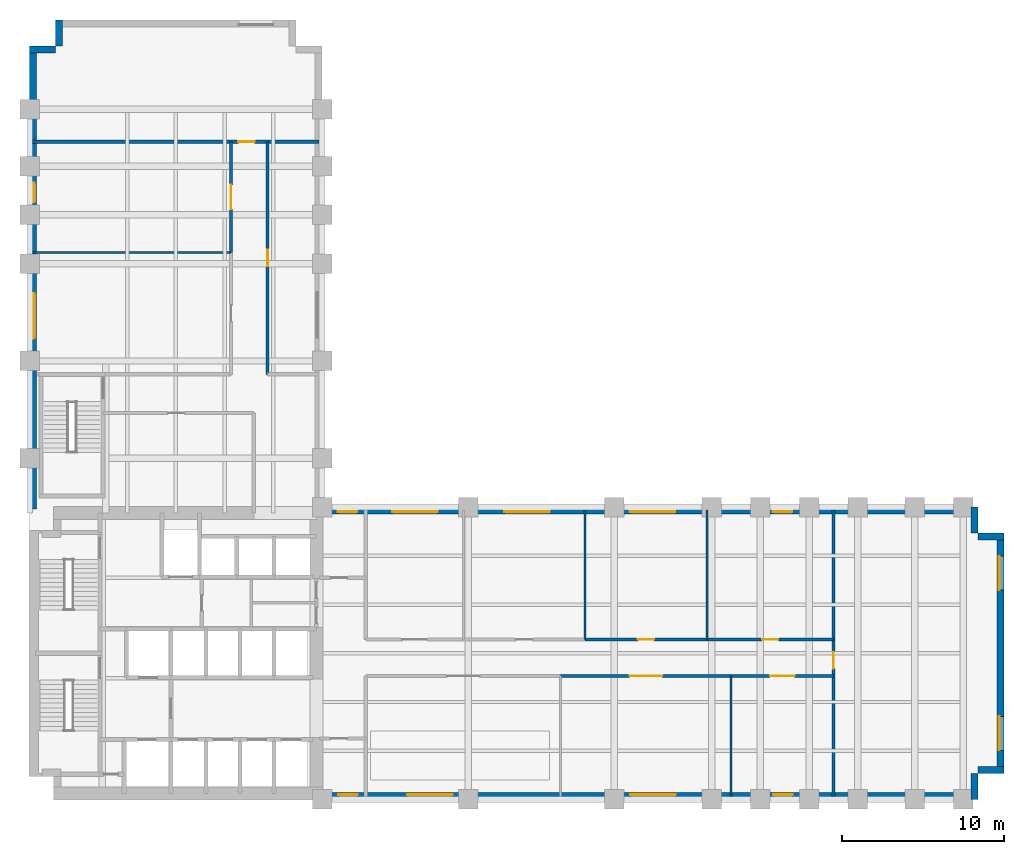
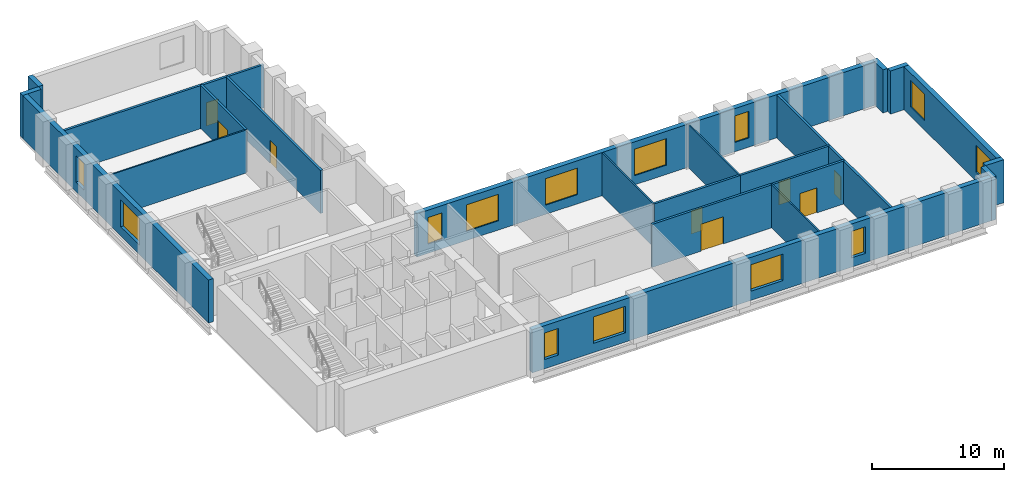
# One storey, part 5 of 7: 22 walls, 13 windows, 8 doors, 21 openings.
"""IFC4 building model written with IfcOpenShell, lengths in metres."""

from ifc_helpers import new_model, si_unit, direction, frame, frame_2d, origin, place, context, subcontext, project, spatial, rectangle, extrude, material, layer, layer_set, type_object, element, fill, save


model = new_model("IFC4")

# Units and contexts
model_context = context("Model", 3, precision=1e-05, world=origin(), true_north=direction((0.0, 1.0)))
body_context = subcontext(model_context, "Body", "Model", "MODEL_VIEW")
ifc_project = project(units=[si_unit("LENGTHUNIT", "METRE"), si_unit("AREAUNIT", "SQUARE_METRE"), si_unit("VOLUMEUNIT", "CUBIC_METRE"), si_unit("PLANEANGLEUNIT", "RADIAN"), si_unit("MASSUNIT", "GRAM", prefix="KILO")], contexts=[model_context])

# Site, building, storey
site_placement = place(None, origin())
site = spatial("IfcSite", under=ifc_project, at=site_placement, CompositionType="ELEMENT")
building_placement = place(site_placement, origin())
building = spatial("IfcBuilding", under=site, at=building_placement, Name="Mawjdan Bourse Tower", CompositionType="ELEMENT")
storey_placement = place(building_placement, frame((0.0, 0.0, 55.199951171875)))
storey = spatial("IfcBuildingStorey", under=building, at=storey_placement, Name="L12", CompositionType="ELEMENT", Elevation=55.199951171875)

# Wall, openings, windows
ifc_material_1 = material(Name="Brick Masonry Buff", Category="masonry")
ifc_layer_1 = layer(ifc_material_1, 0.419921875)
ifc_layer_set_1 = layer_set([ifc_layer_1], Name="Brick Masonry Buff")
wall_type_1 = type_object("IfcWallType", Name="WL-BRK-BUFF-420", PredefinedType="STANDARD", material=ifc_layer_set_1)
wall_1_placement = place(storey_placement, frame((23.89990234375, 3.2099609375, 0.0), z_axis=(0.0, 0.0, 1.0), x_axis=(1.0, 0.0, 0.0)))
wall_1 = element("IfcWall", 1, at=wall_1_placement, inside=storey, type_object=wall_type_1, Name="L12 Exterior Brick Wall 1", PredefinedType="STANDARD", context=body_context, shape_type="SweptSolid", body=[
    extrude(rectangle(XDim=40.5, YDim=0.419921875, at=frame_2d((20.25, 0.0))), origin(), (0.0, 0.0, 1.0), 3.97998046875),
])
opening_1_placement = place(wall_1_placement, frame((1.10009765625, 0.0, 0.85009765625)))
opening_1 = element("IfcOpeningElement", 2, at=opening_1_placement, cuts=wall_1, Name="Opening W-L12-07", PredefinedType="OPENING", context=body_context, shape_type="SweptSolid", body=[
    extrude(rectangle(XDim=1.199951171875, YDim=2.449951171875, at=frame_2d((0.60009765625, 1.22509765625))), frame((0.0, 0.219970703125, 0.0), z_axis=(0.0, -1.0, 0.0), x_axis=(1.0, 0.0, 0.0)), (0.0, 0.0, 1.0), 0.43994140625),
])
opening_2_placement = place(wall_1_placement, frame((5.336181640625, 0.0, 0.85009765625)))
opening_2 = element("IfcOpeningElement", 3, at=opening_2_placement, cuts=wall_1, Name="Opening W-L12-09", PredefinedType="OPENING", context=body_context, shape_type="SweptSolid", body=[
    extrude(rectangle(XDim=2.800048828125, YDim=2.449951171875, at=frame_2d((1.39990234375, 1.22509765625))), frame((0.0, 0.219970703125, 0.0), z_axis=(0.0, -1.0, 0.0), x_axis=(1.0, 0.0, 0.0)), (0.0, 0.0, 1.0), 0.43994140625),
])
opening_3_placement = place(wall_1_placement, frame((19.086181640625, 0.0, 0.85009765625)))
opening_3 = element("IfcOpeningElement", 4, at=opening_3_placement, cuts=wall_1, Name="Opening W-L12-10", PredefinedType="OPENING", context=body_context, shape_type="SweptSolid", body=[
    extrude(rectangle(XDim=2.800048828125, YDim=2.449951171875, at=frame_2d((1.39990234375, 1.22509765625))), frame((0.0, 0.219970703125, 0.0), z_axis=(0.0, -1.0, 0.0), x_axis=(1.0, 0.0, 0.0)), (0.0, 0.0, 1.0), 0.43994140625),
])
opening_4_placement = place(wall_1_placement, frame((27.88623046875, 0.0, 0.85009765625)))
opening_4 = element("IfcOpeningElement", 5, at=opening_4_placement, cuts=wall_1, Name="Opening W-L12-11", PredefinedType="OPENING", context=body_context, shape_type="SweptSolid", body=[
    extrude(rectangle(XDim=1.199951171875, YDim=2.449951171875, at=frame_2d((0.60009765625, 1.22509765625))), frame((0.0, 0.219970703125, 0.0), z_axis=(0.0, -1.0, 0.0), x_axis=(1.0, 0.0, 0.0)), (0.0, 0.0, 1.0), 0.43994140625),
])
ifc_material_2 = material(Name="Solar-Control Clear Double Glazing", Category="glass")
window_type_1 = type_object("IfcWindowType", Name="WN-TRD-1200", PartitioningType="SINGLE_PANEL", PredefinedType="WINDOW", material=ifc_material_2)
window_1_placement = place(opening_1_placement, origin())
window_1 = element("IfcWindow", 6, at=window_1_placement, inside=storey, type_object=window_type_1, Name="L12 Deep-Set Masonry Window W-L12-07", OverallHeight=2.449951171875, OverallWidth=1.199951171875, PartitioningType="SINGLE_PANEL", PredefinedType="WINDOW", context=body_context, shape_type="SweptSolid", body=[
    extrude(rectangle(XDim=1.199951171875, YDim=2.449951171875, at=frame_2d((0.60009765625, 1.22509765625))), frame((0.0, 0.110107421875, 0.0), z_axis=(0.0, -1.0, 0.0), x_axis=(1.0, 0.0, 0.0)), (0.0, 0.0, 1.0), 0.06005859375),
])
fill(opening_1, window_1)
window_2_placement = place(opening_4_placement, origin())
window_2 = element("IfcWindow", 7, at=window_2_placement, inside=storey, type_object=window_type_1, Name="L12 Deep-Set Masonry Window W-L12-11", OverallHeight=2.449951171875, OverallWidth=1.199951171875, PartitioningType="SINGLE_PANEL", PredefinedType="WINDOW", context=body_context, shape_type="SweptSolid", body=[
    extrude(rectangle(XDim=1.199951171875, YDim=2.449951171875, at=frame_2d((0.60009765625, 1.22509765625))), frame((0.0, 0.110107421875, 0.0), z_axis=(0.0, -1.0, 0.0), x_axis=(1.0, 0.0, 0.0)), (0.0, 0.0, 1.0), 0.06005859375),
])
fill(opening_4, window_2)
window_type_2 = type_object("IfcWindowType", Name="WN-TRD-2800", PartitioningType="SINGLE_PANEL", PredefinedType="WINDOW", material=ifc_material_2)
window_3_placement = place(opening_2_placement, origin())
window_3 = element("IfcWindow", 8, at=window_3_placement, inside=storey, type_object=window_type_2, Name="L12 Deep-Set Masonry Window W-L12-09", OverallHeight=2.449951171875, OverallWidth=2.800048828125, PartitioningType="SINGLE_PANEL", PredefinedType="WINDOW", context=body_context, shape_type="SweptSolid", body=[
    extrude(rectangle(XDim=2.800048828125, YDim=2.449951171875, at=frame_2d((1.39990234375, 1.22509765625))), frame((0.0, 0.110107421875, 0.0), z_axis=(0.0, -1.0, 0.0), x_axis=(1.0, 0.0, 0.0)), (0.0, 0.0, 1.0), 0.06005859375),
])
fill(opening_2, window_3)
window_4_placement = place(opening_3_placement, origin())
window_4 = element("IfcWindow", 9, at=window_4_placement, inside=storey, type_object=window_type_2, Name="L12 Deep-Set Masonry Window W-L12-10", OverallHeight=2.449951171875, OverallWidth=2.800048828125, PartitioningType="SINGLE_PANEL", PredefinedType="WINDOW", context=body_context, shape_type="SweptSolid", body=[
    extrude(rectangle(XDim=2.800048828125, YDim=2.449951171875, at=frame_2d((1.39990234375, 1.22509765625))), frame((0.0, 0.110107421875, 0.0), z_axis=(0.0, -1.0, 0.0), x_axis=(1.0, 0.0, 0.0)), (0.0, 0.0, 1.0), 0.06005859375),
])
fill(opening_3, window_4)

# Walls
for number, where, z_axis, x_axis, name in (
    (10, (64.18994140625, 3.0, 0.0), (0.0, 0.0, 1.0), (0.0, 1.0, 0.0), "L12 Exterior Brick Wall 2"),
    (11, (64.39990234375, 4.81005859375, 0.0), (0.0, 0.0, 1.0), (1.0, 0.0, 0.0), "L12 Exterior Brick Wall 3"),
):
    element("IfcWall", number, at=place(storey_placement, frame(where, z_axis=z_axis, x_axis=x_axis)), inside=storey, type_object=wall_type_1, Name=name, PredefinedType="STANDARD", context=body_context, shape_type="SweptSolid", body=[
        extrude(rectangle(XDim=1.60009765625, YDim=0.419921875, at=frame_2d((0.800048828125, 0.0))), origin(), (0.0, 0.0, 1.0), 3.97998046875),
    ])

# Wall, openings, windows
wall_2_placement = place(storey_placement, frame((65.7900390625, 4.60009765625, 0.0), z_axis=(0.0, 0.0, 1.0), x_axis=(0.0, 1.0, 0.0)))
wall_2 = element("IfcWall", 12, at=wall_2_placement, inside=storey, type_object=wall_type_1, Name="L12 Exterior Brick Wall 4", PredefinedType="STANDARD", context=body_context, shape_type="SweptSolid", body=[
    extrude(rectangle(XDim=14.7998046875, YDim=0.419921875, at=frame_2d((7.39990234375, 0.0))), origin(), (0.0, 0.0, 1.0), 3.97998046875),
])
opening_5_placement = place(wall_2_placement, frame((1.416748046875, 0.0, 0.85009765625)))
opening_5 = element("IfcOpeningElement", 13, at=opening_5_placement, cuts=wall_2, Name="Opening W-L12-01", PredefinedType="OPENING", context=body_context, shape_type="SweptSolid", body=[
    extrude(rectangle(XDim=2.10009765625, YDim=2.449951171875, at=frame_2d((1.050048828125, 1.22509765625))), frame((0.0, 0.219970703125, 0.0), z_axis=(0.0, -1.0, 0.0), x_axis=(1.0, 0.0, 0.0)), (0.0, 0.0, 1.0), 0.43994140625),
])
opening_6_placement = place(wall_2_placement, frame((11.283203125, 0.0, 0.85009765625)))
opening_6 = element("IfcOpeningElement", 14, at=opening_6_placement, cuts=wall_2, Name="Opening W-L12-02", PredefinedType="OPENING", context=body_context, shape_type="SweptSolid", body=[
    extrude(rectangle(XDim=2.10009765625, YDim=2.449951171875, at=frame_2d((1.050048828125, 1.22509765625))), frame((0.0, 0.219970703125, 0.0), z_axis=(0.0, -1.0, 0.0), x_axis=(1.0, 0.0, 0.0)), (0.0, 0.0, 1.0), 0.43994140625),
])
window_type_3 = type_object("IfcWindowType", Name="WN-TRD-2100", PartitioningType="SINGLE_PANEL", PredefinedType="WINDOW", material=ifc_material_2)
window_5_placement = place(opening_5_placement, origin())
window_5 = element("IfcWindow", 15, at=window_5_placement, inside=storey, type_object=window_type_3, Name="L12 Deep-Set Masonry Window W-L12-01", OverallHeight=2.449951171875, OverallWidth=2.10009765625, PartitioningType="SINGLE_PANEL", PredefinedType="WINDOW", context=body_context, shape_type="SweptSolid", body=[
    extrude(rectangle(XDim=2.10009765625, YDim=2.449951171875, at=frame_2d((1.050048828125, 1.22509765625))), frame((0.0, 0.110107421875, 0.0), z_axis=(0.0, -1.0, 0.0), x_axis=(1.0, 0.0, 0.0)), (0.0, 0.0, 1.0), 0.06005859375),
])
fill(opening_5, window_5)
window_6_placement = place(opening_6_placement, origin())
window_6 = element("IfcWindow", 16, at=window_6_placement, inside=storey, type_object=window_type_3, Name="L12 Deep-Set Masonry Window W-L12-02", OverallHeight=2.449951171875, OverallWidth=2.10009765625, PartitioningType="SINGLE_PANEL", PredefinedType="WINDOW", context=body_context, shape_type="SweptSolid", body=[
    extrude(rectangle(XDim=2.10009765625, YDim=2.449951171875, at=frame_2d((1.050048828125, 1.22509765625))), frame((0.0, 0.110107421875, 0.0), z_axis=(0.0, -1.0, 0.0), x_axis=(1.0, 0.0, 0.0)), (0.0, 0.0, 1.0), 0.06005859375),
])
fill(opening_6, window_6)

# Walls
for number, where, z_axis, x_axis, name in (
    (17, (66.0, 19.18994140625, 0.0), (0.0, 0.0, 1.0), (-1.0, 0.0, 0.0), "L12 Exterior Brick Wall 5"),
    (18, (64.18994140625, 19.39990234375, 0.0), (0.0, 0.0, 1.0), (0.0, 1.0, 0.0), "L12 Exterior Brick Wall 6"),
):
    element("IfcWall", number, at=place(storey_placement, frame(where, z_axis=z_axis, x_axis=x_axis)), inside=storey, type_object=wall_type_1, Name=name, PredefinedType="STANDARD", context=body_context, shape_type="SweptSolid", body=[
        extrude(rectangle(XDim=1.60009765625, YDim=0.419921875, at=frame_2d((0.800048828125, 0.0))), origin(), (0.0, 0.0, 1.0), 3.97998046875),
    ])

# Wall, openings, windows
wall_3_placement = place(storey_placement, frame((64.39990234375, 20.7900390625, 0.0), z_axis=(0.0, 0.0, 1.0), x_axis=(-1.0, 0.0, 0.0)))
wall_3 = element("IfcWall", 19, at=wall_3_placement, inside=storey, type_object=wall_type_1, Name="L12 Exterior Brick Wall 7", PredefinedType="STANDARD", context=body_context, shape_type="SweptSolid", body=[
    extrude(rectangle(XDim=40.39990234375, YDim=0.419921875, at=frame_2d((20.199951171875, 0.0))), origin(), (0.0, 0.0, 1.0), 3.97998046875),
])
opening_7_placement = place(wall_3_placement, frame((26.375, 0.0, 0.85009765625)))
opening_7 = element("IfcOpeningElement", 20, at=opening_7_placement, cuts=wall_3, Name="Opening W-L12-03", PredefinedType="OPENING", context=body_context, shape_type="SweptSolid", body=[
    extrude(rectangle(XDim=2.800048828125, YDim=2.449951171875, at=frame_2d((1.39990234375, 1.22509765625))), frame((0.0, 0.219970703125, 0.0), z_axis=(0.0, -1.0, 0.0), x_axis=(1.0, 0.0, 0.0)), (0.0, 0.0, 1.0), 0.43994140625),
])
opening_8_placement = place(wall_3_placement, frame((38.22216796875, 0.0, 0.85009765625)))
opening_8 = element("IfcOpeningElement", 21, at=opening_8_placement, cuts=wall_3, Name="Opening W-L12-08", PredefinedType="OPENING", context=body_context, shape_type="SweptSolid", body=[
    extrude(rectangle(XDim=1.199951171875, YDim=2.449951171875, at=frame_2d((0.60009765625, 1.22509765625))), frame((0.0, 0.219970703125, 0.0), z_axis=(0.0, -1.0, 0.0), x_axis=(1.0, 0.0, 0.0)), (0.0, 0.0, 1.0), 0.43994140625),
])
opening_9_placement = place(wall_3_placement, frame((33.2861328125, 0.0, 0.85009765625)))
opening_9 = element("IfcOpeningElement", 22, at=opening_9_placement, cuts=wall_3, Name="Opening W-L12-12", PredefinedType="OPENING", context=body_context, shape_type="SweptSolid", body=[
    extrude(rectangle(XDim=2.800048828125, YDim=2.449951171875, at=frame_2d((1.39990234375, 1.22509765625))), frame((0.0, 0.219970703125, 0.0), z_axis=(0.0, -1.0, 0.0), x_axis=(1.0, 0.0, 0.0)), (0.0, 0.0, 1.0), 0.43994140625),
])
opening_10_placement = place(wall_3_placement, frame((18.63623046875, 0.0, 0.85009765625)))
opening_10 = element("IfcOpeningElement", 23, at=opening_10_placement, cuts=wall_3, Name="Opening W-L12-13", PredefinedType="OPENING", context=body_context, shape_type="SweptSolid", body=[
    extrude(rectangle(XDim=2.800048828125, YDim=2.449951171875, at=frame_2d((1.39990234375, 1.22509765625))), frame((0.0, 0.219970703125, 0.0), z_axis=(0.0, -1.0, 0.0), x_axis=(1.0, 0.0, 0.0)), (0.0, 0.0, 1.0), 0.43994140625),
])
opening_11_placement = place(wall_3_placement, frame((11.436279296875, 0.0, 0.85009765625)))
opening_11 = element("IfcOpeningElement", 24, at=opening_11_placement, cuts=wall_3, Name="Opening W-L12-14", PredefinedType="OPENING", context=body_context, shape_type="SweptSolid", body=[
    extrude(rectangle(XDim=1.199951171875, YDim=2.449951171875, at=frame_2d((0.60009765625, 1.22509765625))), frame((0.0, 0.219970703125, 0.0), z_axis=(0.0, -1.0, 0.0), x_axis=(1.0, 0.0, 0.0)), (0.0, 0.0, 1.0), 0.43994140625),
])
window_7_placement = place(opening_8_placement, origin())
window_7 = element("IfcWindow", 25, at=window_7_placement, inside=storey, type_object=window_type_1, Name="L12 Deep-Set Masonry Window W-L12-08", OverallHeight=2.449951171875, OverallWidth=1.199951171875, PartitioningType="SINGLE_PANEL", PredefinedType="WINDOW", context=body_context, shape_type="SweptSolid", body=[
    extrude(rectangle(XDim=1.199951171875, YDim=2.449951171875, at=frame_2d((0.60009765625, 1.22509765625))), frame((0.0, 0.110107421875, 0.0), z_axis=(0.0, -1.0, 0.0), x_axis=(1.0, 0.0, 0.0)), (0.0, 0.0, 1.0), 0.06005859375),
])
fill(opening_8, window_7)
window_8_placement = place(opening_11_placement, origin())
window_8 = element("IfcWindow", 26, at=window_8_placement, inside=storey, type_object=window_type_1, Name="L12 Deep-Set Masonry Window W-L12-14", OverallHeight=2.449951171875, OverallWidth=1.199951171875, PartitioningType="SINGLE_PANEL", PredefinedType="WINDOW", context=body_context, shape_type="SweptSolid", body=[
    extrude(rectangle(XDim=1.199951171875, YDim=2.449951171875, at=frame_2d((0.60009765625, 1.22509765625))), frame((0.0, 0.110107421875, 0.0), z_axis=(0.0, -1.0, 0.0), x_axis=(1.0, 0.0, 0.0)), (0.0, 0.0, 1.0), 0.06005859375),
])
fill(opening_11, window_8)
window_9_placement = place(opening_7_placement, origin())
window_9 = element("IfcWindow", 27, at=window_9_placement, inside=storey, type_object=window_type_2, Name="L12 Deep-Set Masonry Window W-L12-03", OverallHeight=2.449951171875, OverallWidth=2.800048828125, PartitioningType="SINGLE_PANEL", PredefinedType="WINDOW", context=body_context, shape_type="SweptSolid", body=[
    extrude(rectangle(XDim=2.800048828125, YDim=2.449951171875, at=frame_2d((1.39990234375, 1.22509765625))), frame((0.0, 0.110107421875, 0.0), z_axis=(0.0, -1.0, 0.0), x_axis=(1.0, 0.0, 0.0)), (0.0, 0.0, 1.0), 0.06005859375),
])
fill(opening_7, window_9)
window_10_placement = place(opening_9_placement, origin())
window_10 = element("IfcWindow", 28, at=window_10_placement, inside=storey, type_object=window_type_2, Name="L12 Deep-Set Masonry Window W-L12-12", OverallHeight=2.449951171875, OverallWidth=2.800048828125, PartitioningType="SINGLE_PANEL", PredefinedType="WINDOW", context=body_context, shape_type="SweptSolid", body=[
    extrude(rectangle(XDim=2.800048828125, YDim=2.449951171875, at=frame_2d((1.39990234375, 1.22509765625))), frame((0.0, 0.110107421875, 0.0), z_axis=(0.0, -1.0, 0.0), x_axis=(1.0, 0.0, 0.0)), (0.0, 0.0, 1.0), 0.06005859375),
])
fill(opening_9, window_10)
window_11_placement = place(opening_10_placement, origin())
window_11 = element("IfcWindow", 29, at=window_11_placement, inside=storey, type_object=window_type_2, Name="L12 Deep-Set Masonry Window W-L12-13", OverallHeight=2.449951171875, OverallWidth=2.800048828125, PartitioningType="SINGLE_PANEL", PredefinedType="WINDOW", context=body_context, shape_type="SweptSolid", body=[
    extrude(rectangle(XDim=2.800048828125, YDim=2.449951171875, at=frame_2d((1.39990234375, 1.22509765625))), frame((0.0, 0.110107421875, 0.0), z_axis=(0.0, -1.0, 0.0), x_axis=(1.0, 0.0, 0.0)), (0.0, 0.0, 1.0), 0.06005859375),
])
fill(opening_10, window_11)

# Walls
for number, where, z_axis, x_axis, name in (
    (30, (7.81005859375, 51.0, 0.0), (0.0, 0.0, 1.0), (0.0, -1.0, 0.0), "L12 Exterior Brick Wall 12"),
    (31, (7.60009765625, 49.18994140625, 0.0), (0.0, 0.0, 1.0), (-1.0, 0.0, 0.0), "L12 Exterior Brick Wall 13"),
):
    element("IfcWall", number, at=place(storey_placement, frame(where, z_axis=z_axis, x_axis=x_axis)), inside=storey, type_object=wall_type_1, Name=name, PredefinedType="STANDARD", context=body_context, shape_type="SweptSolid", body=[
        extrude(rectangle(XDim=1.60009765625, YDim=0.419921875, at=frame_2d((0.800048828125, 0.0))), origin(), (0.0, 0.0, 1.0), 3.97998046875),
    ])

# Wall, openings, windows
wall_4_placement = place(storey_placement, frame((6.2099609375, 49.39990234375, 0.0), z_axis=(0.0, 0.0, 1.0), x_axis=(0.0, -1.0, 0.0)))
wall_4 = element("IfcWall", 32, at=wall_4_placement, inside=storey, type_object=wall_type_1, Name="L12 Exterior Brick Wall 14", PredefinedType="STANDARD", context=body_context, shape_type="SweptSolid", body=[
    extrude(rectangle(XDim=28.5, YDim=0.419921875, at=frame_2d((14.25, 0.0))), origin(), (0.0, 0.0, 1.0), 3.97998046875),
])
opening_12_placement = place(wall_4_placement, frame((15.22509765625, 0.0, 0.85009765625)))
opening_12 = element("IfcOpeningElement", 33, at=opening_12_placement, cuts=wall_4, Name="Opening W-L12-06", PredefinedType="OPENING", context=body_context, shape_type="SweptSolid", body=[
    extrude(rectangle(XDim=2.800048828125, YDim=2.449951171875, at=frame_2d((1.39990234375, 1.22509765625))), frame((0.0, 0.219970703125, 0.0), z_axis=(0.0, -1.0, 0.0), x_axis=(1.0, 0.0, 0.0)), (0.0, 0.0, 1.0), 0.43994140625),
])
opening_13_placement = place(wall_4_placement, frame((8.436279296875, 0.0, 0.85009765625)))
opening_13 = element("IfcOpeningElement", 34, at=opening_13_placement, cuts=wall_4, Name="Opening W-L12-15", PredefinedType="OPENING", context=body_context, shape_type="SweptSolid", body=[
    extrude(rectangle(XDim=1.199951171875, YDim=2.449951171875, at=frame_2d((0.60009765625, 1.22509765625))), frame((0.0, 0.219970703125, 0.0), z_axis=(0.0, -1.0, 0.0), x_axis=(1.0, 0.0, 0.0)), (0.0, 0.0, 1.0), 0.43994140625),
])
window_12_placement = place(opening_13_placement, origin())
window_12 = element("IfcWindow", 35, at=window_12_placement, inside=storey, type_object=window_type_1, Name="L12 Deep-Set Masonry Window W-L12-15", OverallHeight=2.449951171875, OverallWidth=1.199951171875, PartitioningType="SINGLE_PANEL", PredefinedType="WINDOW", context=body_context, shape_type="SweptSolid", body=[
    extrude(rectangle(XDim=1.199951171875, YDim=2.449951171875, at=frame_2d((0.60009765625, 1.22509765625))), frame((0.0, 0.110107421875, 0.0), z_axis=(0.0, -1.0, 0.0), x_axis=(1.0, 0.0, 0.0)), (0.0, 0.0, 1.0), 0.06005859375),
])
fill(opening_13, window_12)
window_13_placement = place(opening_12_placement, origin())
window_13 = element("IfcWindow", 36, at=window_13_placement, inside=storey, type_object=window_type_2, Name="L12 Deep-Set Masonry Window W-L12-06", OverallHeight=2.449951171875, OverallWidth=2.800048828125, PartitioningType="SINGLE_PANEL", PredefinedType="WINDOW", context=body_context, shape_type="SweptSolid", body=[
    extrude(rectangle(XDim=2.800048828125, YDim=2.449951171875, at=frame_2d((1.39990234375, 1.22509765625))), frame((0.0, 0.110107421875, 0.0), z_axis=(0.0, -1.0, 0.0), x_axis=(1.0, 0.0, 0.0)), (0.0, 0.0, 1.0), 0.06005859375),
])
fill(opening_12, window_13)

# Wall, opening, door
ifc_material_3 = material(Name="Gypsum Fireboard Assembly")
ifc_layer_2 = layer(ifc_material_3, 0.199951171875)
ifc_layer_set_2 = layer_set([ifc_layer_2], Name="Gypsum Fireboard Assembly")
wall_type_2 = type_object("IfcWallType", Name="WL-CMP-200", PredefinedType="PARTITIONING", material=ifc_layer_set_2)
wall_5_placement = place(storey_placement, frame((38.699951171875, 10.60009765625, 0.0), z_axis=(0.0, 0.0, 1.0), x_axis=(1.0, 0.0, 0.0)))
wall_5 = element("IfcWall", 37, at=wall_5_placement, inside=storey, type_object=wall_type_2, Name="L12 Commodities Dealing Hall Corridor Wall", PredefinedType="PARTITIONING", context=body_context, shape_type="SweptSolid", body=[
    extrude(rectangle(XDim=10.5, YDim=0.199951171875, at=frame_2d((5.25, 0.0))), origin(), (0.0, 0.0, 1.0), 3.969970703125),
])
opening_14_placement = place(wall_5_placement, frame((4.25, 0.0, 0.0)))
opening_14 = element("IfcOpeningElement", 38, at=opening_14_placement, cuts=wall_5, Name="Opening D-L12-21", PredefinedType="OPENING", context=body_context, shape_type="SweptSolid", body=[
    extrude(rectangle(XDim=2.0, YDim=2.5, at=frame_2d((1.0, 1.25))), frame((0.0, 0.10986328125, 0.0), z_axis=(0.0, -1.0, 0.0), x_axis=(1.0, 0.0, 0.0)), (0.0, 0.0, 1.0), 0.219970703125),
])
ifc_material_4 = material(Name="Acoustic Veneered Timber", Category="wood")
door_type_1 = type_object("IfcDoorType", Name="DR-ASM-2000", OperationType="DOUBLE_DOOR_SINGLE_SWING", PredefinedType="DOOR", material=ifc_material_4)
door_1_placement = place(opening_14_placement, origin())
door_1 = element("IfcDoor", 39, at=door_1_placement, inside=storey, type_object=door_type_1, Name="L12 Commodities Dealing Hall Door D-L12-21", OperationType="DOUBLE_DOOR_SINGLE_SWING", OverallHeight=2.5, OverallWidth=2.0, PredefinedType="DOOR", context=body_context, shape_type="SweptSolid", body=[
    extrude(rectangle(XDim=2.0, YDim=2.5, at=frame_2d((1.0, 1.25))), frame((0.0, 0.02490234375, 0.0), z_axis=(0.0, -1.0, 0.0), x_axis=(1.0, 0.0, 0.0)), (0.0, 0.0, 1.0), 0.050048828125),
])
fill(opening_14, door_1)

wall_6_placement = place(storey_placement, frame((49.199951171875, 10.60009765625, 0.0), z_axis=(0.0, 0.0, 1.0), x_axis=(1.0, 0.0, 0.0)))
wall_6 = element("IfcWall", 40, at=wall_6_placement, inside=storey, type_object=wall_type_2, Name="L12 Conference Room Corridor Wall", PredefinedType="PARTITIONING", context=body_context, shape_type="SweptSolid", body=[
    extrude(rectangle(XDim=6.300048828125, YDim=0.199951171875, at=frame_2d((3.14990234375, 0.0))), origin(), (0.0, 0.0, 1.0), 3.969970703125),
])
opening_15_placement = place(wall_6_placement, frame((2.39990234375, 0.0, 0.0)))
opening_15 = element("IfcOpeningElement", 41, at=opening_15_placement, cuts=wall_6, Name="Opening D-L12-22", PredefinedType="OPENING", context=body_context, shape_type="SweptSolid", body=[
    extrude(rectangle(XDim=1.5, YDim=2.300048828125, at=frame_2d((0.75, 1.14990234375))), frame((0.0, 0.10986328125, 0.0), z_axis=(0.0, -1.0, 0.0), x_axis=(1.0, 0.0, 0.0)), (0.0, 0.0, 1.0), 0.219970703125),
])
ifc_material_5 = material(Name="Acoustic Glazed Timber", Category="wood")
door_type_2 = type_object("IfcDoorType", Name="DR-CNF-1500", OperationType="DOUBLE_DOOR_SINGLE_SWING", PredefinedType="DOOR", material=ifc_material_5)
door_2_placement = place(opening_15_placement, origin())
door_2 = element("IfcDoor", 42, at=door_2_placement, inside=storey, type_object=door_type_2, Name="L12 Conference Room Door D-L12-22", OperationType="DOUBLE_DOOR_SINGLE_SWING", OverallHeight=2.300048828125, OverallWidth=1.5, PredefinedType="DOOR", context=body_context, shape_type="SweptSolid", body=[
    extrude(rectangle(XDim=1.5, YDim=2.300048828125, at=frame_2d((0.75, 1.14990234375))), frame((0.0, 0.02490234375, 0.0), z_axis=(0.0, -1.0, 0.0), x_axis=(1.0, 0.0, 0.0)), (0.0, 0.0, 1.0), 0.050048828125),
])
fill(opening_15, door_2)

wall_7_placement = place(storey_placement, frame((40.199951171875, 12.85009765625, 0.0), z_axis=(0.0, 0.0, 1.0), x_axis=(1.0, 0.0, 0.0)))
wall_7 = element("IfcWall", 43, at=wall_7_placement, inside=storey, type_object=wall_type_2, Name="L12 Executive Office Corridor Wall", PredefinedType="PARTITIONING", context=body_context, shape_type="SweptSolid", body=[
    extrude(rectangle(XDim=7.5, YDim=0.199951171875, at=frame_2d((3.75, 0.0))), origin(), (0.0, 0.0, 1.0), 3.969970703125),
])
opening_16_placement = place(wall_7_placement, frame((3.25, 0.0, 0.0)))
opening_16 = element("IfcOpeningElement", 44, at=opening_16_placement, cuts=wall_7, Name="Opening D-L12-25", PredefinedType="OPENING", context=body_context, shape_type="SweptSolid", body=[
    extrude(rectangle(XDim=1.0, YDim=2.14990234375, at=frame_2d((0.5, 1.074951171875))), frame((0.0, 0.10986328125, 0.0), z_axis=(0.0, -1.0, 0.0), x_axis=(1.0, 0.0, 0.0)), (0.0, 0.0, 1.0), 0.219970703125),
])
ifc_material_6 = material(Name="Hardwood Acoustic Leaf", Category="wood")
door_type_3 = type_object("IfcDoorType", Name="DR-OFC-1000", OperationType="NOTDEFINED", PredefinedType="DOOR", material=ifc_material_6)
door_3_placement = place(opening_16_placement, origin())
door_3 = element("IfcDoor", 45, at=door_3_placement, inside=storey, type_object=door_type_3, Name="L12 Executive Office Door D-L12-25", OperationType="SINGLE_SWING_RIGHT", OverallHeight=2.14990234375, OverallWidth=1.0, PredefinedType="DOOR", context=body_context, shape_type="SweptSolid", body=[
    extrude(rectangle(XDim=1.0, YDim=2.14990234375, at=frame_2d((0.5, 1.074951171875))), frame((0.0, 0.02490234375, 0.0), z_axis=(0.0, -1.0, 0.0), x_axis=(1.0, 0.0, 0.0)), (0.0, 0.0, 1.0), 0.050048828125),
])
fill(opening_16, door_3)

wall_8_placement = place(storey_placement, frame((47.699951171875, 12.85009765625, 0.0), z_axis=(0.0, 0.0, 1.0), x_axis=(1.0, 0.0, 0.0)))
wall_8 = element("IfcWall", 46, at=wall_8_placement, inside=storey, type_object=wall_type_2, Name="L12 Document Archive Store Corridor Wall", PredefinedType="PARTITIONING", context=body_context, shape_type="SweptSolid", body=[
    extrude(rectangle(XDim=7.800048828125, YDim=0.199951171875, at=frame_2d((3.89990234375, 0.0))), origin(), (0.0, 0.0, 1.0), 3.969970703125),
])
opening_17_placement = place(wall_8_placement, frame((3.39990234375, 0.0, 0.0)))
opening_17 = element("IfcOpeningElement", 47, at=opening_17_placement, cuts=wall_8, Name="Opening D-L12-26", PredefinedType="OPENING", context=body_context, shape_type="SweptSolid", body=[
    extrude(rectangle(XDim=1.0, YDim=2.14990234375, at=frame_2d((0.5, 1.074951171875))), frame((0.0, 0.10986328125, 0.0), z_axis=(0.0, -1.0, 0.0), x_axis=(1.0, 0.0, 0.0)), (0.0, 0.0, 1.0), 0.219970703125),
])
door_4_placement = place(opening_17_placement, origin())
door_4 = element("IfcDoor", 48, at=door_4_placement, inside=storey, type_object=door_type_3, Name="L12 Document Archive Store Door D-L12-26", OperationType="SINGLE_SWING_LEFT", OverallHeight=2.14990234375, OverallWidth=1.0, PredefinedType="DOOR", context=body_context, shape_type="SweptSolid", body=[
    extrude(rectangle(XDim=1.0, YDim=2.14990234375, at=frame_2d((0.5, 1.074951171875))), frame((0.0, 0.02490234375, 0.0), z_axis=(0.0, -1.0, 0.0), x_axis=(1.0, 0.0, 0.0)), (0.0, 0.0, 1.0), 0.050048828125),
])
fill(opening_17, door_4)

wall_9_placement = place(storey_placement, frame((55.5, 3.179931640625, 0.0), z_axis=(0.0, 0.0, 1.0), x_axis=(0.0, 1.0, 0.0)))
wall_9 = element("IfcWall", 49, at=wall_9_placement, inside=storey, type_object=wall_type_2, Name="L12 East Tip Full Cross Wall", PredefinedType="PARTITIONING", context=body_context, shape_type="SweptSolid", body=[
    extrude(rectangle(XDim=17.64013671875, YDim=0.199951171875, at=frame_2d((8.820068359375, 0.0))), origin(), (0.0, 0.0, 1.0), 3.969970703125),
])
opening_18_placement = place(wall_9_placement, frame((7.875, 0.0, 0.0)))
opening_18 = element("IfcOpeningElement", 50, at=opening_18_placement, cuts=wall_9, Name="Opening D-L12-27", PredefinedType="OPENING", context=body_context, shape_type="SweptSolid", body=[
    extrude(rectangle(XDim=1.0, YDim=2.14990234375, at=frame_2d((0.5, 1.074951171875))), frame((0.0, 0.10986328125, 0.0), z_axis=(0.0, -1.0, 0.0), x_axis=(1.0, 0.0, 0.0)), (0.0, 0.0, 1.0), 0.219970703125),
])
door_5_placement = place(opening_18_placement, origin())
door_5 = element("IfcDoor", 51, at=door_5_placement, inside=storey, type_object=door_type_3, Name="L12 East Tip Hall Door D-L12-27", OperationType="SINGLE_SWING_RIGHT", OverallHeight=2.14990234375, OverallWidth=1.0, PredefinedType="DOOR", context=body_context, shape_type="SweptSolid", body=[
    extrude(rectangle(XDim=1.0, YDim=2.14990234375, at=frame_2d((0.5, 1.074951171875))), frame((0.0, 0.02490234375, 0.0), z_axis=(0.0, -1.0, 0.0), x_axis=(1.0, 0.0, 0.0)), (0.0, 0.0, 1.0), 0.050048828125),
])
fill(opening_18, door_5)

wall_10_placement = place(storey_placement, frame((18.39990234375, 36.679931640625, 0.0), z_axis=(0.0, 0.0, 1.0), x_axis=(0.0, 1.0, 0.0)))
wall_10 = element("IfcWall", 52, at=wall_10_placement, inside=storey, type_object=wall_type_2, Name="L12 Conference Room Corridor Wall", PredefinedType="PARTITIONING", context=body_context, shape_type="SweptSolid", body=[
    extrude(rectangle(XDim=6.820068359375, YDim=0.199951171875, at=frame_2d((3.41015625, 0.0))), origin(), (0.0, 0.0, 1.0), 3.969970703125),
])
opening_19_placement = place(wall_10_placement, frame((2.659912109375, 0.0, 0.0)))
opening_19 = element("IfcOpeningElement", 53, at=opening_19_placement, cuts=wall_10, Name="Opening D-L12-30", PredefinedType="OPENING", context=body_context, shape_type="SweptSolid", body=[
    extrude(rectangle(XDim=1.5, YDim=2.300048828125, at=frame_2d((0.75, 1.14990234375))), frame((0.0, 0.10986328125, 0.0), z_axis=(0.0, -1.0, 0.0), x_axis=(1.0, 0.0, 0.0)), (0.0, 0.0, 1.0), 0.219970703125),
])
door_6_placement = place(opening_19_placement, origin())
door_6 = element("IfcDoor", 54, at=door_6_placement, inside=storey, type_object=door_type_2, Name="L12 Conference Room Door D-L12-30", OperationType="DOUBLE_DOOR_SINGLE_SWING", OverallHeight=2.300048828125, OverallWidth=1.5, PredefinedType="DOOR", context=body_context, shape_type="SweptSolid", body=[
    extrude(rectangle(XDim=1.5, YDim=2.300048828125, at=frame_2d((0.75, 1.14990234375))), frame((0.0, 0.02490234375, 0.0), z_axis=(0.0, -1.0, 0.0), x_axis=(1.0, 0.0, 0.0)), (0.0, 0.0, 1.0), 0.050048828125),
])
fill(opening_19, door_6)

wall_11_placement = place(storey_placement, frame((20.64990234375, 29.179931640625, 0.0), z_axis=(0.0, 0.0, 1.0), x_axis=(0.0, 1.0, 0.0)))
wall_11 = element("IfcWall", 55, at=wall_11_placement, inside=storey, type_object=wall_type_2, Name="L12 Client Meeting Room Corridor Wall", PredefinedType="PARTITIONING", context=body_context, shape_type="SweptSolid", body=[
    extrude(rectangle(XDim=14.320068359375, YDim=0.199951171875, at=frame_2d((7.16015625, 0.0))), origin(), (0.0, 0.0, 1.0), 3.969970703125),
])
opening_20_placement = place(wall_11_placement, frame((6.659912109375, 0.0, 0.0)))
opening_20 = element("IfcOpeningElement", 56, at=opening_20_placement, cuts=wall_11, Name="Opening D-L12-31", PredefinedType="OPENING", context=body_context, shape_type="SweptSolid", body=[
    extrude(rectangle(XDim=1.0, YDim=2.14990234375, at=frame_2d((0.5, 1.074951171875))), frame((0.0, 0.10986328125, 0.0), z_axis=(0.0, -1.0, 0.0), x_axis=(1.0, 0.0, 0.0)), (0.0, 0.0, 1.0), 0.219970703125),
])
door_7_placement = place(opening_20_placement, origin())
door_7 = element("IfcDoor", 57, at=door_7_placement, inside=storey, type_object=door_type_3, Name="L12 Client Meeting Room Door D-L12-31", OperationType="SINGLE_SWING_LEFT", OverallHeight=2.14990234375, OverallWidth=1.0, PredefinedType="DOOR", context=body_context, shape_type="SweptSolid", body=[
    extrude(rectangle(XDim=1.0, YDim=2.14990234375, at=frame_2d((0.5, 1.074951171875))), frame((0.0, 0.02490234375, 0.0), z_axis=(0.0, -1.0, 0.0), x_axis=(1.0, 0.0, 0.0)), (0.0, 0.0, 1.0), 0.050048828125),
])
fill(opening_20, door_7)

wall_12_placement = place(storey_placement, frame((6.179931640625, 43.5, 0.0), z_axis=(0.0, 0.0, 1.0), x_axis=(1.0, 0.0, 0.0)))
wall_12 = element("IfcWall", 58, at=wall_12_placement, inside=storey, type_object=wall_type_2, Name="L12 North Tip Full Cross Wall", PredefinedType="PARTITIONING", context=body_context, shape_type="SweptSolid", body=[
    extrude(rectangle(XDim=17.64013671875, YDim=0.199951171875, at=frame_2d((8.820068359375, 0.0))), origin(), (0.0, 0.0, 1.0), 3.969970703125),
])
opening_21_placement = place(wall_12_placement, frame((12.675048828125, 0.0, 0.0)))
opening_21 = element("IfcOpeningElement", 59, at=opening_21_placement, cuts=wall_12, Name="Opening D-L12-32", PredefinedType="OPENING", context=body_context, shape_type="SweptSolid", body=[
    extrude(rectangle(XDim=1.0, YDim=2.14990234375, at=frame_2d((0.5, 1.074951171875))), frame((0.0, 0.10986328125, 0.0), z_axis=(0.0, -1.0, 0.0), x_axis=(1.0, 0.0, 0.0)), (0.0, 0.0, 1.0), 0.219970703125),
])
door_8_placement = place(opening_21_placement, origin())
door_8 = element("IfcDoor", 60, at=door_8_placement, inside=storey, type_object=door_type_3, Name="L12 North Tip Suite Door D-L12-32", OperationType="SINGLE_SWING_RIGHT", OverallHeight=2.14990234375, OverallWidth=1.0, PredefinedType="DOOR", context=body_context, shape_type="SweptSolid", body=[
    extrude(rectangle(XDim=1.0, YDim=2.14990234375, at=frame_2d((0.5, 1.074951171875))), frame((0.0, 0.02490234375, 0.0), z_axis=(0.0, -1.0, 0.0), x_axis=(1.0, 0.0, 0.0)), (0.0, 0.0, 1.0), 0.050048828125),
])
fill(opening_21, door_8)

# Walls
ifc_material_7 = material(Name="Gypsum Partition")
ifc_layer_3 = layer(ifc_material_7, 0.125)
ifc_layer_set_3 = layer_set([ifc_layer_3], Name="Gypsum Partition")
wall_type_3 = type_object("IfcWallType", Name="WL-PRT-125", PredefinedType="PARTITIONING", material=ifc_layer_set_3)
wall_13_placement = place(storey_placement, frame((49.199951171875, 3.179931640625, 0.0), z_axis=(0.0, 0.0, 1.0), x_axis=(0.0, 1.0, 0.0)))
element("IfcWall", 61, at=wall_13_placement, inside=storey, type_object=wall_type_3, Name="L12 Conference Room Partition", PredefinedType="PARTITIONING", context=body_context, shape_type="SweptSolid", body=[
    extrude(rectangle(XDim=7.420166015625, YDim=0.125, at=frame_2d((3.7099609375, 0.0))), origin(), (0.0, 0.0, 1.0), 3.969970703125),
])
for number, where, z_axis, x_axis, name in (
    (62, (40.199951171875, 12.85009765625, 0.0), (0.0, 0.0, 1.0), (0.0, 1.0, 0.0), "L12 Executive Office Partition"),
    (63, (47.699951171875, 12.85009765625, 0.0), (0.0, 0.0, 1.0), (0.0, 1.0, 0.0), "L12 Document Archive Store Partition"),
):
    element("IfcWall", number, at=place(storey_placement, frame(where, z_axis=z_axis, x_axis=x_axis)), inside=storey, type_object=wall_type_3, Name=name, PredefinedType="PARTITIONING", context=body_context, shape_type="SweptSolid", body=[
        extrude(rectangle(XDim=7.969970703125, YDim=0.125, at=frame_2d((3.98486328125, 0.0))), origin(), (0.0, 0.0, 1.0), 3.969970703125),
    ])
wall_14_placement = place(storey_placement, frame((6.179931640625, 36.679931640625, 0.0), z_axis=(0.0, 0.0, 1.0), x_axis=(1.0, 0.0, 0.0)))
element("IfcWall", 64, at=wall_14_placement, inside=storey, type_object=wall_type_3, Name="L12 Conference Room Partition", PredefinedType="PARTITIONING", context=body_context, shape_type="SweptSolid", body=[
    extrude(rectangle(XDim=12.219970703125, YDim=0.125, at=frame_2d((6.10986328125, 0.0))), origin(), (0.0, 0.0, 1.0), 3.969970703125),
])

save(model, "model.ifc")
